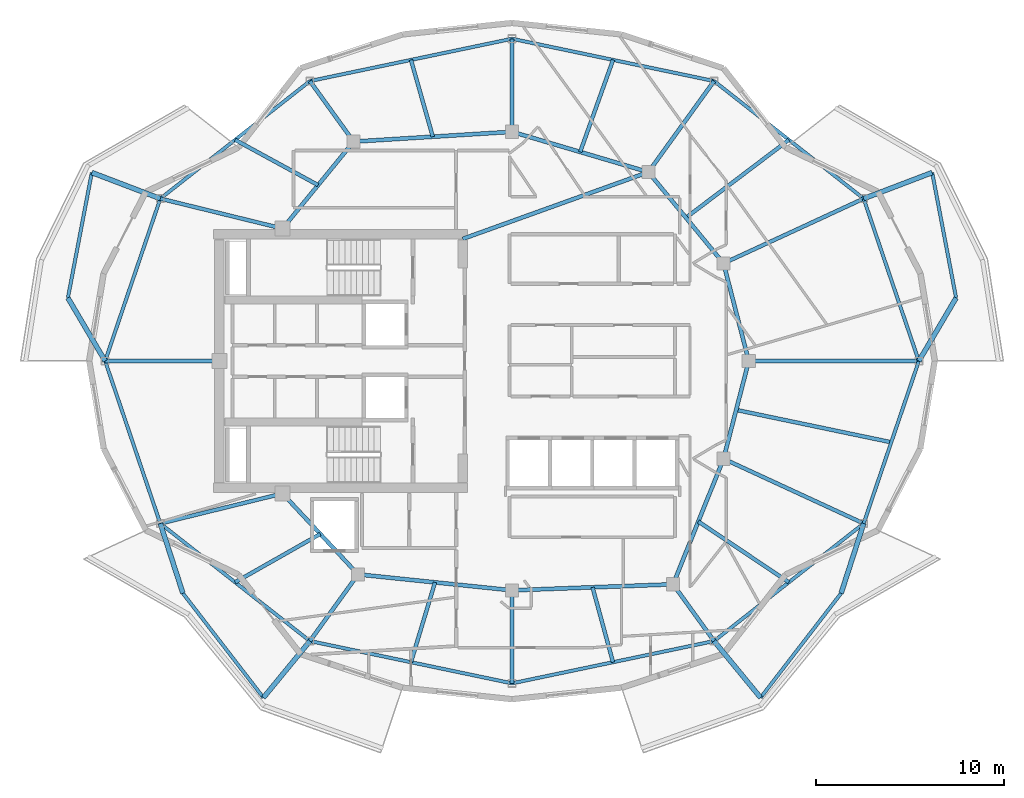
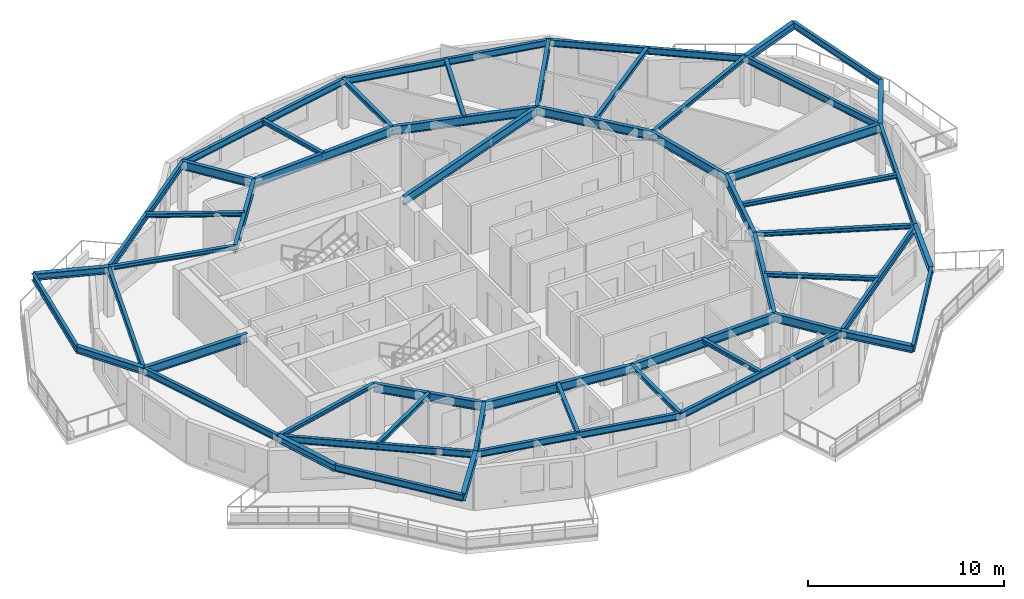
# One storey, part 2 of 11: 56 beams.
"""IFC4 building model written with IfcOpenShell, lengths in metres."""

from ifc_helpers import new_model, si_unit, direction, frame, origin, origin_2d, place, context, subcontext, project, spatial, i_section, extrude, material, material_profile, profile_set, type_object, element, save


model = new_model("IFC4")

# Units and contexts
model_context = context("Model", 3, precision=1e-05, world=origin(), true_north=direction((0.0, 1.0)))
body_context = subcontext(model_context, "Body", "Model", "MODEL_VIEW")
ifc_project = project(units=[si_unit("LENGTHUNIT", "METRE"), si_unit("AREAUNIT", "SQUARE_METRE"), si_unit("VOLUMEUNIT", "CUBIC_METRE"), si_unit("PLANEANGLEUNIT", "RADIAN"), si_unit("MASSUNIT", "GRAM", prefix="KILO")], contexts=[model_context])

# Site, building, storey
site_placement = place(None, origin())
site = spatial("IfcSite", under=ifc_project, at=site_placement, CompositionType="ELEMENT")
building_placement = place(site_placement, origin())
building = spatial("IfcBuilding", under=site, at=building_placement, Name="Kolvaren Gate Tower and Convention Centre", CompositionType="ELEMENT")
storey_placement = place(building_placement, frame((0.0, 0.0, 242.60009765625)))
storey = spatial("IfcBuildingStorey", under=building, at=storey_placement, Name="L65", CompositionType="ELEMENT", Elevation=242.60009765625)

# Beams
ifc_material = material(Name="Structural steel ASTM A992 Grade 345 MPa", Category="steel")
ifc_material_profile_1 = material_profile(ifc_material, i_section(OverallWidth=0.260009765625, OverallDepth=0.419921875, WebThickness=0.013427734375, FlangeThickness=0.0224609375, at=origin_2d()), Name="W410X132")
ifc_profile_set_1 = profile_set([ifc_material_profile_1], Name="Structural steel ASTM A992 Grade 345 MPa")
beam_type_1 = type_object("IfcBeamType", Name="STR-BM-W410X132", PredefinedType="BEAM", material=ifc_profile_set_1)
beam_1_placement = place(storey_placement, frame((51.77490234375, 27.0, 2.8203125), z_axis=(0.508138645793, 0.861275285058, 0.0), x_axis=(-0.861275285058, 0.508138645793, 0.0)))
element("IfcBeam", 1, at=beam_1_placement, inside=storey, type_object=beam_type_1, Name="Tower L66 Planted Balcony Outrigger Cantilever BC-1A", PredefinedType="BEAM", context=body_context, shape_type="SweptSolid", body=[
    extrude(i_section(OverallWidth=0.260009765625, OverallDepth=0.419921875, WebThickness=0.013427734375, FlangeThickness=0.0224609375, at=origin_2d()), origin(), (0.0, 0.0, 1.0), 3.89990234375),
])
for number, where, z_axis, x_axis, name in (
    (2, (48.8388671875, 35.6435546875, 2.8203125), (0.934583890573, 0.355742816485, 0.0), (-0.355742816485, 0.934583890573, 0.0), "Tower L66 Planted Balcony Outrigger Cantilever BC-1B"),
    (3, (11.4111328125, 35.6435546875, 2.8203125), (-0.934583890573, 0.355742816485, 0.0), (-0.355742816485, -0.934583890573, 0.0), "Tower L66 Planted Balcony Outrigger Cantilever BC-2A"),
):
    element("IfcBeam", number, at=place(storey_placement, frame(where, z_axis=z_axis, x_axis=x_axis)), inside=storey, type_object=beam_type_1, Name=name, PredefinedType="BEAM", context=body_context, shape_type="SweptSolid", body=[
        extrude(i_section(OverallWidth=0.260009765625, OverallDepth=0.419921875, WebThickness=0.013427734375, FlangeThickness=0.0224609375, at=origin_2d()), origin(), (0.0, 0.0, 1.0), 3.900146484375),
    ])
beam_2_placement = place(storey_placement, frame((8.47509765625, 27.0, 2.8203125), z_axis=(-0.508138645793, 0.861275285058, 0.0), x_axis=(-0.861275285058, -0.508138645793, 0.0)))
element("IfcBeam", 4, at=beam_2_placement, inside=storey, type_object=beam_type_1, Name="Tower L66 Planted Balcony Outrigger Cantilever BC-2B", PredefinedType="BEAM", context=body_context, shape_type="SweptSolid", body=[
    extrude(i_section(OverallWidth=0.260009765625, OverallDepth=0.419921875, WebThickness=0.013427734375, FlangeThickness=0.0224609375, at=origin_2d()), origin(), (0.0, 0.0, 1.0), 3.89990234375),
])
beam_3_placement = place(storey_placement, frame((11.4111328125, 18.3564453125, 2.8203125), z_axis=(0.307670281141, -0.951493036287, 0.0), x_axis=(0.951493036287, 0.307670281141, 0.0)))
element("IfcBeam", 5, at=beam_3_placement, inside=storey, type_object=beam_type_1, Name="Tower L66 Planted Balcony Outrigger Cantilever BC-3A", PredefinedType="BEAM", context=body_context, shape_type="SweptSolid", body=[
    extrude(i_section(OverallWidth=0.260009765625, OverallDepth=0.419921875, WebThickness=0.013427734375, FlangeThickness=0.0224609375, at=origin_2d()), origin(), (0.0, 0.0, 1.0), 3.900146484375),
])
for number, where, z_axis, x_axis, name in (
    (6, (19.372314453125, 12.100830078125, 2.8203125), (-0.634712723343, -0.77274818591, 0.0), (0.77274818591, -0.634712723343, 0.0), "Tower L66 Planted Balcony Outrigger Cantilever BC-3B"),
    (7, (40.877685546875, 12.100830078125, 2.8203125), (0.634712723343, -0.77274818591, 0.0), (0.77274818591, 0.634712723343, 0.0), "Tower L66 Planted Balcony Outrigger Cantilever BC-4A"),
):
    element("IfcBeam", number, at=place(storey_placement, frame(where, z_axis=z_axis, x_axis=x_axis)), inside=storey, type_object=beam_type_1, Name=name, PredefinedType="BEAM", context=body_context, shape_type="SweptSolid", body=[
        extrude(i_section(OverallWidth=0.260009765625, OverallDepth=0.419921875, WebThickness=0.013427734375, FlangeThickness=0.0224609375, at=origin_2d()), origin(), (0.0, 0.0, 1.0), 3.89990234375),
    ])
beam_4_placement = place(storey_placement, frame((48.8388671875, 18.3564453125, 2.8203125), z_axis=(-0.307670281141, -0.951493036287, 0.0), x_axis=(0.951493036287, -0.307670281141, 0.0)))
element("IfcBeam", 8, at=beam_4_placement, inside=storey, type_object=beam_type_1, Name="Tower L66 Planted Balcony Outrigger Cantilever BC-4B", PredefinedType="BEAM", context=body_context, shape_type="SweptSolid", body=[
    extrude(i_section(OverallWidth=0.260009765625, OverallDepth=0.419921875, WebThickness=0.013427734375, FlangeThickness=0.0224609375, at=origin_2d()), origin(), (0.0, 0.0, 1.0), 3.900146484375),
])
ifc_material_profile_2 = material_profile(ifc_material, i_section(OverallWidth=0.2119140625, OverallDepth=0.5439453125, WebThickness=0.01318359375, FlangeThickness=0.021240234375, at=origin_2d()), Name="W530X123")
ifc_profile_set_2 = profile_set([ifc_material_profile_2], Name="Structural steel ASTM A992 Grade 345 MPa")
beam_type_2 = type_object("IfcBeamType", Name="STR-BM-W530X123", PredefinedType="BEAM", material=ifc_profile_set_2)
beam_5_placement = place(storey_placement, frame((42.72509765625, 27.0, 2.7578125), z_axis=(-0.250091133936, -0.968222301296, 0.0), x_axis=(0.968222301296, -0.250091133936, 0.0)))
element("IfcBeam", 9, at=beam_5_placement, inside=storey, type_object=beam_type_2, Name="Tower L65 Primary Ring Girder G-01", PredefinedType="BEAM", context=body_context, shape_type="SweptSolid", body=[
    extrude(i_section(OverallWidth=0.2119140625, OverallDepth=0.5439453125, WebThickness=0.01318359375, FlangeThickness=0.021240234375, at=origin_2d()), origin(), (0.0, 0.0, 1.0), 5.3701171875),
])
beam_6_placement = place(storey_placement, frame((41.382080078125, 32.199462890625, 2.7578125), z_axis=(-0.635884066011, 0.771784590798, 0.0), x_axis=(-0.771784590798, -0.635884066011, 0.0)))
element("IfcBeam", 10, at=beam_6_placement, inside=storey, type_object=beam_type_2, Name="Tower L65 Primary Ring Girder G-02", PredefinedType="BEAM", context=body_context, shape_type="SweptSolid", body=[
    extrude(i_section(OverallWidth=0.2119140625, OverallDepth=0.5439453125, WebThickness=0.01318359375, FlangeThickness=0.021240234375, at=origin_2d()), origin(), (0.0, 0.0, 1.0), 6.291259765625),
])
beam_7_placement = place(storey_placement, frame((37.381591796875, 37.054931640625, 2.7578125), z_axis=(-0.958980837827, 0.283470902706, 0.0), x_axis=(-0.283470902706, -0.958980837827, 0.0)))
element("IfcBeam", 11, at=beam_7_placement, inside=storey, type_object=beam_type_2, Name="Tower L65 Primary Ring Girder G-03", PredefinedType="BEAM", context=body_context, shape_type="SweptSolid", body=[
    extrude(i_section(OverallWidth=0.2119140625, OverallDepth=0.5439453125, WebThickness=0.01318359375, FlangeThickness=0.021240234375, at=origin_2d()), origin(), (0.0, 0.0, 1.0), 7.56689453125),
])
beam_8_placement = place(storey_placement, frame((30.125, 39.199951171875, 2.7578125), z_axis=(-0.998078258568, -0.06196603726, 0.0), x_axis=(0.06196603726, -0.998078258568, 0.0)))
element("IfcBeam", 12, at=beam_8_placement, inside=storey, type_object=beam_type_2, Name="Tower L65 Primary Ring Girder G-04", PredefinedType="BEAM", context=body_context, shape_type="SweptSolid", body=[
    extrude(i_section(OverallWidth=0.2119140625, OverallDepth=0.5439453125, WebThickness=0.01318359375, FlangeThickness=0.021240234375, at=origin_2d()), origin(), (0.0, 0.0, 1.0), 8.443115234375),
])
beam_9_placement = place(storey_placement, frame((21.697998046875, 38.6767578125, 2.7578125), z_axis=(-0.633082074904, -0.774084676528, 0.0), x_axis=(0.774084676528, -0.633082074904, 0.0)))
element("IfcBeam", 13, at=beam_9_placement, inside=storey, type_object=beam_type_2, Name="Tower L65 Primary Ring Girder G-05", PredefinedType="BEAM", context=body_context, shape_type="SweptSolid", body=[
    extrude(i_section(OverallWidth=0.2119140625, OverallDepth=0.5439453125, WebThickness=0.01318359375, FlangeThickness=0.021240234375, at=origin_2d()), origin(), (0.0, 0.0, 1.0), 5.97705078125),
])
beam_10_placement = place(storey_placement, frame((17.9140625, 19.949951171875, 2.7578125), z_axis=(0.682557592987, -0.730831808459, 0.0), x_axis=(0.730831808459, 0.682557592987, 0.0)))
element("IfcBeam", 14, at=beam_10_placement, inside=storey, type_object=beam_type_2, Name="Tower L65 Primary Ring Girder G-06", PredefinedType="BEAM", context=body_context, shape_type="SweptSolid", body=[
    extrude(i_section(OverallWidth=0.2119140625, OverallDepth=0.5439453125, WebThickness=0.01318359375, FlangeThickness=0.021240234375, at=origin_2d()), origin(), (0.0, 0.0, 1.0), 5.88671875),
])
beam_11_placement = place(storey_placement, frame((21.93212890625, 15.647705078125, 2.7578125), z_axis=(0.994690329115, -0.102913308978, 0.0), x_axis=(0.102913308978, 0.994690329115, 0.0)))
element("IfcBeam", 15, at=beam_11_placement, inside=storey, type_object=beam_type_2, Name="Tower L65 Primary Ring Girder G-07", PredefinedType="BEAM", context=body_context, shape_type="SweptSolid", body=[
    extrude(i_section(OverallWidth=0.2119140625, OverallDepth=0.5439453125, WebThickness=0.01318359375, FlangeThickness=0.021240234375, at=origin_2d()), origin(), (0.0, 0.0, 1.0), 8.236572265625),
])
beam_12_placement = place(storey_placement, frame((30.125, 14.800048828125, 2.7578125), z_axis=(0.999301712453, 0.037364254142, 0.0), x_axis=(-0.037364254142, 0.999301712453, 0.0)))
element("IfcBeam", 16, at=beam_12_placement, inside=storey, type_object=beam_type_2, Name="Tower L65 Primary Ring Girder G-08", PredefinedType="BEAM", context=body_context, shape_type="SweptSolid", body=[
    extrude(i_section(OverallWidth=0.2119140625, OverallDepth=0.5439453125, WebThickness=0.01318359375, FlangeThickness=0.021240234375, at=origin_2d()), origin(), (0.0, 0.0, 1.0), 8.579345703125),
])
beam_13_placement = place(storey_placement, frame((38.6982421875, 15.12060546875, 2.7578125), z_axis=(0.372811100169, 0.927907260232, 0.0), x_axis=(-0.927907260232, 0.372811100169, 0.0)))
element("IfcBeam", 17, at=beam_13_placement, inside=storey, type_object=beam_type_2, Name="Tower L65 Primary Ring Girder G-09", PredefinedType="BEAM", context=body_context, shape_type="SweptSolid", body=[
    extrude(i_section(OverallWidth=0.2119140625, OverallDepth=0.5439453125, WebThickness=0.01318359375, FlangeThickness=0.021240234375, at=origin_2d()), origin(), (0.0, 0.0, 1.0), 7.198974609375),
])
beam_14_placement = place(storey_placement, frame((27.5, 33.5, 2.7578125), z_axis=(0.940961479908, 0.338513653093, 0.0), x_axis=(-0.338513653093, 0.940961479908, 0.0)))
element("IfcBeam", 18, at=beam_14_placement, inside=storey, type_object=beam_type_2, Name="Tower L65 Primary Ring Girder G-10", PredefinedType="BEAM", context=body_context, shape_type="SweptSolid", body=[
    extrude(i_section(OverallWidth=0.2119140625, OverallDepth=0.5439453125, WebThickness=0.01318359375, FlangeThickness=0.021240234375, at=origin_2d()), origin(), (0.0, 0.0, 1.0), 10.501708984375),
])
beam_15_placement = place(storey_placement, frame((42.72509765625, 27.0, 2.7578125), z_axis=(-0.250091133936, 0.968222301296, 0.0), x_axis=(-0.968222301296, -0.250091133936, 0.0)))
element("IfcBeam", 19, at=beam_15_placement, inside=storey, type_object=beam_type_2, Name="Tower L65 Primary Ring Girder G-12", PredefinedType="BEAM", context=body_context, shape_type="SweptSolid", body=[
    extrude(i_section(OverallWidth=0.2119140625, OverallDepth=0.5439453125, WebThickness=0.01318359375, FlangeThickness=0.021240234375, at=origin_2d()), origin(), (0.0, 0.0, 1.0), 5.3701171875),
])
beam_16_placement = place(storey_placement, frame((42.72509765625, 27.0, 2.7578125), z_axis=(1.0, 0.0, 0.0), x_axis=(0.0, 1.0, 0.0)))
element("IfcBeam", 20, at=beam_16_placement, inside=storey, type_object=beam_type_2, Name="Tower L65 Radial Floor Girder RB-01", PredefinedType="BEAM", context=body_context, shape_type="SweptSolid", body=[
    extrude(i_section(OverallWidth=0.2119140625, OverallDepth=0.5439453125, WebThickness=0.01318359375, FlangeThickness=0.021240234375, at=origin_2d()), origin(), (0.0, 0.0, 1.0), 9.0498046875),
])
beam_17_placement = place(storey_placement, frame((37.381591796875, 37.054931640625, 2.7578125), z_axis=(0.585212989833, 0.810879619013, 0.0), x_axis=(-0.810879619013, 0.585212989833, 0.0)))
element("IfcBeam", 21, at=beam_17_placement, inside=storey, type_object=beam_type_2, Name="Tower L65 Radial Floor Girder RB-03", PredefinedType="BEAM", context=body_context, shape_type="SweptSolid", body=[
    extrude(i_section(OverallWidth=0.2119140625, OverallDepth=0.5439453125, WebThickness=0.01318359375, FlangeThickness=0.021240234375, at=origin_2d()), origin(), (0.0, 0.0, 1.0), 5.97412109375),
])
beam_18_placement = place(storey_placement, frame((21.697998046875, 38.6767578125, 2.7578125), z_axis=(-0.585223600457, 0.810871961205, 0.0), x_axis=(-0.810871961205, -0.585223600457, 0.0)))
element("IfcBeam", 22, at=beam_18_placement, inside=storey, type_object=beam_type_2, Name="Tower L65 Radial Floor Girder RB-05", PredefinedType="BEAM", context=body_context, shape_type="SweptSolid", body=[
    extrude(i_section(OverallWidth=0.2119140625, OverallDepth=0.5439453125, WebThickness=0.01318359375, FlangeThickness=0.021240234375, at=origin_2d()), origin(), (0.0, 0.0, 1.0), 3.97412109375),
])
beam_19_placement = place(storey_placement, frame((14.550048828125, 27.0, 2.7578125), z_axis=(-1.0, 0.0, 0.0), x_axis=(0.0, -1.0, 0.0)))
element("IfcBeam", 23, at=beam_19_placement, inside=storey, type_object=beam_type_2, Name="Tower L65 Radial Floor Girder RB-07", PredefinedType="BEAM", context=body_context, shape_type="SweptSolid", body=[
    extrude(i_section(OverallWidth=0.2119140625, OverallDepth=0.5439453125, WebThickness=0.01318359375, FlangeThickness=0.021240234375, at=origin_2d()), origin(), (0.0, 0.0, 1.0), 6.074951171875),
])
beam_20_placement = place(storey_placement, frame((21.93212890625, 15.647705078125, 2.7578125), z_axis=(-0.585217447343, -0.810876402003, 0.0), x_axis=(0.810876402003, -0.585217447343, 0.0)))
element("IfcBeam", 24, at=beam_20_placement, inside=storey, type_object=beam_type_2, Name="Tower L65 Radial Floor Girder RB-09", PredefinedType="BEAM", context=body_context, shape_type="SweptSolid", body=[
    extrude(i_section(OverallWidth=0.2119140625, OverallDepth=0.5439453125, WebThickness=0.01318359375, FlangeThickness=0.021240234375, at=origin_2d()), origin(), (0.0, 0.0, 1.0), 4.3740234375),
])
beam_21_placement = place(storey_placement, frame((38.6982421875, 15.12060546875, 2.7578125), z_axis=(0.58522483817, -0.81087106792, 0.0), x_axis=(0.81087106792, 0.58522483817, 0.0)))
element("IfcBeam", 25, at=beam_21_placement, inside=storey, type_object=beam_type_2, Name="Tower L65 Radial Floor Girder RB-11", PredefinedType="BEAM", context=body_context, shape_type="SweptSolid", body=[
    extrude(i_section(OverallWidth=0.2119140625, OverallDepth=0.5439453125, WebThickness=0.01318359375, FlangeThickness=0.021240234375, at=origin_2d()), origin(), (0.0, 0.0, 1.0), 3.72412109375),
])
ifc_material_profile_3 = material_profile(ifc_material, i_section(OverallWidth=0.202880859375, OverallDepth=0.251953125, WebThickness=0.008056640625, FlangeThickness=0.013427734375, at=origin_2d()), Name="W250X58")
ifc_profile_set_3 = profile_set([ifc_material_profile_3], Name="Structural steel ASTM A992 Grade 345 MPa")
beam_type_3 = type_object("IfcBeamType", Name="STR-JS-W250X58", PredefinedType="JOIST", material=ifc_profile_set_3)
beam_22_placement = place(storey_placement, frame((41.382080078125, 32.199462890625, 2.90380859375), z_axis=(0.907843645886, 0.419308853502, 0.0), x_axis=(-0.419308853502, 0.907843645886, 0.0)))
element("IfcBeam", 26, at=beam_22_placement, inside=storey, type_object=beam_type_3, Name="Tower L65 Radial Floor Girder RB-02", PredefinedType="JOIST", context=body_context, shape_type="SweptSolid", body=[
    extrude(i_section(OverallWidth=0.202880859375, OverallDepth=0.251953125, WebThickness=0.008056640625, FlangeThickness=0.013427734375, at=origin_2d()), origin(), (0.0, 0.0, 1.0), 8.213623046875),
])
beam_23_placement = place(storey_placement, frame((30.125, 39.199951171875, 2.90380859375), z_axis=(0.0, 1.0, 0.0), x_axis=(-1.0, 0.0, 0.0)))
element("IfcBeam", 27, at=beam_23_placement, inside=storey, type_object=beam_type_3, Name="Tower L65 Radial Floor Girder RB-04", PredefinedType="JOIST", context=body_context, shape_type="SweptSolid", body=[
    extrude(i_section(OverallWidth=0.202880859375, OverallDepth=0.251953125, WebThickness=0.008056640625, FlangeThickness=0.013427734375, at=origin_2d()), origin(), (0.0, 0.0, 1.0), 4.949951171875),
])
for number, where, z_axis, x_axis, name in (
    (28, (17.9140625, 34.050048828125, 2.90380859375), (-0.971264462968, 0.238002821362, 0.0), (-0.238002821362, -0.971264462968, 0.0), "Tower L65 Radial Floor Girder RB-06"),
    (29, (17.9140625, 19.949951171875, 2.90380859375), (-0.971264462968, -0.238002821362, 0.0), (0.238002821362, -0.971264462968, 0.0), "Tower L65 Radial Floor Girder RB-08"),
):
    element("IfcBeam", number, at=place(storey_placement, frame(where, z_axis=z_axis, x_axis=x_axis)), inside=storey, type_object=beam_type_3, Name=name, PredefinedType="JOIST", context=body_context, shape_type="SweptSolid", body=[
        extrude(i_section(OverallWidth=0.202880859375, OverallDepth=0.251953125, WebThickness=0.008056640625, FlangeThickness=0.013427734375, at=origin_2d()), origin(), (0.0, 0.0, 1.0), 6.6953125),
    ])
beam_24_placement = place(storey_placement, frame((30.125, 14.800048828125, 2.90380859375), z_axis=(0.0, -1.0, 0.0), x_axis=(1.0, 0.0, 0.0)))
element("IfcBeam", 30, at=beam_24_placement, inside=storey, type_object=beam_type_3, Name="Tower L65 Radial Floor Girder RB-10", PredefinedType="JOIST", context=body_context, shape_type="SweptSolid", body=[
    extrude(i_section(OverallWidth=0.202880859375, OverallDepth=0.251953125, WebThickness=0.008056640625, FlangeThickness=0.013427734375, at=origin_2d()), origin(), (0.0, 0.0, 1.0), 4.949951171875),
])
beam_25_placement = place(storey_placement, frame((41.382080078125, 21.800537109375, 2.90380859375), z_axis=(0.907843645886, -0.419308853502, 0.0), x_axis=(0.419308853502, 0.907843645886, 0.0)))
element("IfcBeam", 31, at=beam_25_placement, inside=storey, type_object=beam_type_3, Name="Tower L65 Radial Floor Girder RB-12", PredefinedType="JOIST", context=body_context, shape_type="SweptSolid", body=[
    extrude(i_section(OverallWidth=0.202880859375, OverallDepth=0.251953125, WebThickness=0.008056640625, FlangeThickness=0.013427734375, at=origin_2d()), origin(), (0.0, 0.0, 1.0), 8.213623046875),
])
beam_26_placement = place(storey_placement, frame((39.3818359375, 34.627197265625, 2.90380859375), z_axis=(0.797403149346, 0.603446946643, 0.0), x_axis=(-0.603446946643, 0.797403149346, 0.0)))
element("IfcBeam", 32, at=beam_26_placement, inside=storey, type_object=beam_type_3, Name="Tower L65 Secondary Composite Floor Joist J-02.1", PredefinedType="JOIST", context=body_context, shape_type="SweptSolid", body=[
    extrude(i_section(OverallWidth=0.202880859375, OverallDepth=0.251953125, WebThickness=0.008056640625, FlangeThickness=0.013427734375, at=origin_2d()), origin(), (0.0, 0.0, 1.0), 6.86767578125),
])
beam_27_placement = place(storey_placement, frame((33.75341796875, 38.12744140625, 2.90380859375), z_axis=(0.336131158814, 0.941815185731, 0.0), x_axis=(-0.941815185731, 0.336131158814, 0.0)))
element("IfcBeam", 33, at=beam_27_placement, inside=storey, type_object=beam_type_3, Name="Tower L65 Secondary Composite Floor Joist J-03.1", PredefinedType="JOIST", context=body_context, shape_type="SweptSolid", body=[
    extrude(i_section(OverallWidth=0.202880859375, OverallDepth=0.251953125, WebThickness=0.008056640625, FlangeThickness=0.013427734375, at=origin_2d()), origin(), (0.0, 0.0, 1.0), 5.19970703125),
])
beam_28_placement = place(storey_placement, frame((25.91162109375, 38.938232421875, 2.90380859375), z_axis=(-0.273696395326, 0.961816137932, 0.0), x_axis=(-0.961816137932, -0.273696395326, 0.0)))
element("IfcBeam", 34, at=beam_28_placement, inside=storey, type_object=beam_type_3, Name="Tower L65 Secondary Composite Floor Joist J-04.1", PredefinedType="JOIST", context=body_context, shape_type="SweptSolid", body=[
    extrude(i_section(OverallWidth=0.202880859375, OverallDepth=0.251953125, WebThickness=0.008056640625, FlangeThickness=0.013427734375, at=origin_2d()), origin(), (0.0, 0.0, 1.0), 4.24853515625),
])
beam_29_placement = place(storey_placement, frame((19.805908203125, 36.36328125, 2.90380859375), z_axis=(-0.8778621722, 0.478913360244, 0.0), x_axis=(-0.478913360244, -0.8778621722, 0.0)))
element("IfcBeam", 35, at=beam_29_placement, inside=storey, type_object=beam_type_3, Name="Tower L65 Secondary Composite Floor Joist J-05.1", PredefinedType="JOIST", context=body_context, shape_type="SweptSolid", body=[
    extrude(i_section(OverallWidth=0.202880859375, OverallDepth=0.251953125, WebThickness=0.008056640625, FlangeThickness=0.013427734375, at=origin_2d()), origin(), (0.0, 0.0, 1.0), 5.028564453125),
])
beam_30_placement = place(storey_placement, frame((19.923095703125, 17.798828125, 2.90380859375), z_axis=(-0.869819092813, -0.493370799479, 0.0), x_axis=(0.493370799479, -0.869819092813, 0.0)))
element("IfcBeam", 36, at=beam_30_placement, inside=storey, type_object=beam_type_3, Name="Tower L65 Secondary Composite Floor Joist J-08.1", PredefinedType="JOIST", context=body_context, shape_type="SweptSolid", body=[
    extrude(i_section(OverallWidth=0.202880859375, OverallDepth=0.251953125, WebThickness=0.008056640625, FlangeThickness=0.013427734375, at=origin_2d()), origin(), (0.0, 0.0, 1.0), 5.209716796875),
])
beam_31_placement = place(storey_placement, frame((26.028564453125, 15.223876953125, 2.90380859375), z_axis=(-0.288427961133, -0.957501598556, 0.0), x_axis=(0.957501598556, -0.288427961133, 0.0)))
element("IfcBeam", 37, at=beam_31_placement, inside=storey, type_object=beam_type_3, Name="Tower L65 Secondary Composite Floor Joist J-09.1", PredefinedType="JOIST", context=body_context, shape_type="SweptSolid", body=[
    extrude(i_section(OverallWidth=0.202880859375, OverallDepth=0.251953125, WebThickness=0.008056640625, FlangeThickness=0.013427734375, at=origin_2d()), origin(), (0.0, 0.0, 1.0), 4.43701171875),
])
beam_32_placement = place(storey_placement, frame((34.41162109375, 14.960205078125, 2.90380859375), z_axis=(0.263752420282, -0.964590410898, 0.0), x_axis=(0.964590410898, 0.263752420282, 0.0)))
element("IfcBeam", 38, at=beam_32_placement, inside=storey, type_object=beam_type_3, Name="Tower L65 Secondary Composite Floor Joist J-10.1", PredefinedType="JOIST", context=body_context, shape_type="SweptSolid", body=[
    extrude(i_section(OverallWidth=0.202880859375, OverallDepth=0.251953125, WebThickness=0.008056640625, FlangeThickness=0.013427734375, at=origin_2d()), origin(), (0.0, 0.0, 1.0), 4.131103515625),
])
beam_33_placement = place(storey_placement, frame((40.040283203125, 18.46044921875, 2.90380859375), z_axis=(0.830454207472, -0.557086895638, 0.0), x_axis=(0.557086895638, 0.830454207472, 0.0)))
element("IfcBeam", 39, at=beam_33_placement, inside=storey, type_object=beam_type_3, Name="Tower L65 Secondary Composite Floor Joist J-11.1", PredefinedType="JOIST", context=body_context, shape_type="SweptSolid", body=[
    extrude(i_section(OverallWidth=0.202880859375, OverallDepth=0.251953125, WebThickness=0.008056640625, FlangeThickness=0.013427734375, at=origin_2d()), origin(), (0.0, 0.0, 1.0), 5.801513671875),
])
beam_34_placement = place(storey_placement, frame((42.0537109375, 24.400146484375, 2.90380859375), z_axis=(0.978920872293, -0.204239873163, 0.0), x_axis=(0.204239873163, 0.978920872293, 0.0)))
element("IfcBeam", 40, at=beam_34_placement, inside=storey, type_object=beam_type_3, Name="Tower L65 Secondary Composite Floor Joist J-12.1", PredefinedType="JOIST", context=body_context, shape_type="SweptSolid", body=[
    extrude(i_section(OverallWidth=0.202880859375, OverallDepth=0.251953125, WebThickness=0.008056640625, FlangeThickness=0.013427734375, at=origin_2d()), origin(), (0.0, 0.0, 1.0), 8.430908203125),
])
ifc_material_profile_4 = material_profile(ifc_material, i_section(OverallWidth=0.180908203125, OverallDepth=0.4169921875, WebThickness=0.010986328125, FlangeThickness=0.018310546875, at=origin_2d()), Name="W410X85")
ifc_profile_set_4 = profile_set([ifc_material_profile_4], Name="Structural steel ASTM A992 Grade 345 MPa")
beam_type_4 = type_object("IfcBeamType", Name="STR-SP-W410X85", PredefinedType="SPANDREL", material=ifc_profile_set_4)
beam_35_placement = place(storey_placement, frame((51.77490234375, 27.0, 2.8212890625), z_axis=(-0.32163038352, 0.946865300028, 0.0), x_axis=(-0.946865300028, -0.32163038352, 0.0)))
element("IfcBeam", 41, at=beam_35_placement, inside=storey, type_object=beam_type_4, Name="Tower L65 Perimeter Spandrel Beam SP-01", PredefinedType="SPANDREL", context=body_context, shape_type="SweptSolid", body=[
    extrude(i_section(OverallWidth=0.180908203125, OverallDepth=0.4169921875, WebThickness=0.010986328125, FlangeThickness=0.018310546875, at=origin_2d()), origin(), (0.0, 0.0, 1.0), 9.128662109375),
])
beam_36_placement = place(storey_placement, frame((48.8388671875, 35.6435546875, 2.8212890625), z_axis=(-0.786299093723, 0.61784604491, 0.0), x_axis=(-0.61784604491, -0.786299093723, 0.0)))
element("IfcBeam", 42, at=beam_36_placement, inside=storey, type_object=beam_type_4, Name="Tower L65 Perimeter Spandrel Beam SP-02", PredefinedType="SPANDREL", context=body_context, shape_type="SweptSolid", body=[
    extrude(i_section(OverallWidth=0.180908203125, OverallDepth=0.4169921875, WebThickness=0.010986328125, FlangeThickness=0.018310546875, at=origin_2d()), origin(), (0.0, 0.0, 1.0), 10.124755859375),
])
for number, where, z_axis, x_axis, name in (
    (43, (40.877685546875, 41.899169921875, 2.8212890625), (-0.97878751616, 0.204878008117, 0.0), (-0.204878008117, -0.97878751616, 0.0), "Tower L65 Perimeter Spandrel Beam SP-03"),
    (44, (30.125, 44.14990234375, 2.8212890625), (-0.97878751616, -0.204878008117, 0.0), (0.204878008117, -0.97878751616, 0.0), "Tower L65 Perimeter Spandrel Beam SP-04"),
):
    element("IfcBeam", number, at=place(storey_placement, frame(where, z_axis=z_axis, x_axis=x_axis)), inside=storey, type_object=beam_type_4, Name=name, PredefinedType="SPANDREL", context=body_context, shape_type="SweptSolid", body=[
        extrude(i_section(OverallWidth=0.180908203125, OverallDepth=0.4169921875, WebThickness=0.010986328125, FlangeThickness=0.018310546875, at=origin_2d()), origin(), (0.0, 0.0, 1.0), 10.98583984375),
    ])
beam_37_placement = place(storey_placement, frame((19.372314453125, 41.899169921875, 2.8212890625), z_axis=(-0.786299093723, -0.61784604491, 0.0), x_axis=(0.61784604491, -0.786299093723, 0.0)))
element("IfcBeam", 45, at=beam_37_placement, inside=storey, type_object=beam_type_4, Name="Tower L65 Perimeter Spandrel Beam SP-05", PredefinedType="SPANDREL", context=body_context, shape_type="SweptSolid", body=[
    extrude(i_section(OverallWidth=0.180908203125, OverallDepth=0.4169921875, WebThickness=0.010986328125, FlangeThickness=0.018310546875, at=origin_2d()), origin(), (0.0, 0.0, 1.0), 10.124755859375),
])
for number, where, z_axis, x_axis, name in (
    (46, (11.4111328125, 35.6435546875, 2.8212890625), (-0.32163038352, -0.946865300028, 0.0), (0.946865300028, -0.32163038352, 0.0), "Tower L65 Perimeter Spandrel Beam SP-06"),
    (47, (8.47509765625, 27.0, 2.8212890625), (0.32163038352, -0.946865300028, 0.0), (0.946865300028, 0.32163038352, 0.0), "Tower L65 Perimeter Spandrel Beam SP-07"),
):
    element("IfcBeam", number, at=place(storey_placement, frame(where, z_axis=z_axis, x_axis=x_axis)), inside=storey, type_object=beam_type_4, Name=name, PredefinedType="SPANDREL", context=body_context, shape_type="SweptSolid", body=[
        extrude(i_section(OverallWidth=0.180908203125, OverallDepth=0.4169921875, WebThickness=0.010986328125, FlangeThickness=0.018310546875, at=origin_2d()), origin(), (0.0, 0.0, 1.0), 9.128662109375),
    ])
beam_38_placement = place(storey_placement, frame((11.4111328125, 18.3564453125, 2.8212890625), z_axis=(0.786299093723, -0.61784604491, 0.0), x_axis=(0.61784604491, 0.786299093723, 0.0)))
element("IfcBeam", 48, at=beam_38_placement, inside=storey, type_object=beam_type_4, Name="Tower L65 Perimeter Spandrel Beam SP-08", PredefinedType="SPANDREL", context=body_context, shape_type="SweptSolid", body=[
    extrude(i_section(OverallWidth=0.180908203125, OverallDepth=0.4169921875, WebThickness=0.010986328125, FlangeThickness=0.018310546875, at=origin_2d()), origin(), (0.0, 0.0, 1.0), 10.124755859375),
])
for number, where, z_axis, x_axis, name in (
    (49, (19.372314453125, 12.100830078125, 2.8212890625), (0.97878751616, -0.204878008117, 0.0), (0.204878008117, 0.97878751616, 0.0), "Tower L65 Perimeter Spandrel Beam SP-09"),
    (50, (30.125, 9.85009765625, 2.8212890625), (0.97878751616, 0.204878008117, 0.0), (-0.204878008117, 0.97878751616, 0.0), "Tower L65 Perimeter Spandrel Beam SP-10"),
):
    element("IfcBeam", number, at=place(storey_placement, frame(where, z_axis=z_axis, x_axis=x_axis)), inside=storey, type_object=beam_type_4, Name=name, PredefinedType="SPANDREL", context=body_context, shape_type="SweptSolid", body=[
        extrude(i_section(OverallWidth=0.180908203125, OverallDepth=0.4169921875, WebThickness=0.010986328125, FlangeThickness=0.018310546875, at=origin_2d()), origin(), (0.0, 0.0, 1.0), 10.98583984375),
    ])
beam_39_placement = place(storey_placement, frame((40.877685546875, 12.100830078125, 2.8212890625), z_axis=(0.786299093723, 0.61784604491, 0.0), x_axis=(-0.61784604491, 0.786299093723, 0.0)))
element("IfcBeam", 51, at=beam_39_placement, inside=storey, type_object=beam_type_4, Name="Tower L65 Perimeter Spandrel Beam SP-11", PredefinedType="SPANDREL", context=body_context, shape_type="SweptSolid", body=[
    extrude(i_section(OverallWidth=0.180908203125, OverallDepth=0.4169921875, WebThickness=0.010986328125, FlangeThickness=0.018310546875, at=origin_2d()), origin(), (0.0, 0.0, 1.0), 10.124755859375),
])
beam_40_placement = place(storey_placement, frame((48.8388671875, 18.3564453125, 2.8212890625), z_axis=(0.32163038352, 0.946865300028, 0.0), x_axis=(-0.946865300028, 0.32163038352, 0.0)))
element("IfcBeam", 52, at=beam_40_placement, inside=storey, type_object=beam_type_4, Name="Tower L65 Perimeter Spandrel Beam SP-12", PredefinedType="SPANDREL", context=body_context, shape_type="SweptSolid", body=[
    extrude(i_section(OverallWidth=0.180908203125, OverallDepth=0.4169921875, WebThickness=0.010986328125, FlangeThickness=0.018310546875, at=origin_2d()), origin(), (0.0, 0.0, 1.0), 9.128662109375),
])
for number, where, z_axis, x_axis, name in (
    (53, (53.756591796875, 30.35888671875, 2.822021484375), (-0.187371410824, 0.982289139921, 0.0), (-0.982289139921, -0.187371410824, 0.0), "Tower L66 Planted Balcony Header Tie Beam BT-1"),
    (54, (7.76611328125, 37.031005859375, 2.822021484375), (-0.187371410824, -0.982289139921, 0.0), (0.982289139921, -0.187371410824, 0.0), "Tower L66 Planted Balcony Header Tie Beam BT-2"),
):
    element("IfcBeam", number, at=place(storey_placement, frame(where, z_axis=z_axis, x_axis=x_axis)), inside=storey, type_object=beam_type_4, Name=name, PredefinedType="SPANDREL", context=body_context, shape_type="SweptSolid", body=[
        extrude(i_section(OverallWidth=0.180908203125, OverallDepth=0.4169921875, WebThickness=0.010986328125, FlangeThickness=0.018310546875, at=origin_2d()), origin(), (0.0, 0.0, 1.0), 6.79248046875),
    ])
for number, where, z_axis, x_axis, name in (
    (55, (12.611083984375, 14.6455078125, 2.822021484375), (0.610626494716, -0.791918735699, 0.0), (0.791918735699, 0.610626494716, 0.0), "Tower L66 Planted Balcony Header Tie Beam BT-3"),
    (56, (43.35302734375, 9.087158203125, 2.822021484375), (0.610626494716, 0.791918735699, 0.0), (-0.791918735699, 0.610626494716, 0.0), "Tower L66 Planted Balcony Header Tie Beam BT-4"),
):
    element("IfcBeam", number, at=place(storey_placement, frame(where, z_axis=z_axis, x_axis=x_axis)), inside=storey, type_object=beam_type_4, Name=name, PredefinedType="SPANDREL", context=body_context, shape_type="SweptSolid", body=[
        extrude(i_section(OverallWidth=0.180908203125, OverallDepth=0.4169921875, WebThickness=0.010986328125, FlangeThickness=0.018310546875, at=origin_2d()), origin(), (0.0, 0.0, 1.0), 7.018798828125),
    ])

save(model, "model.ifc")
